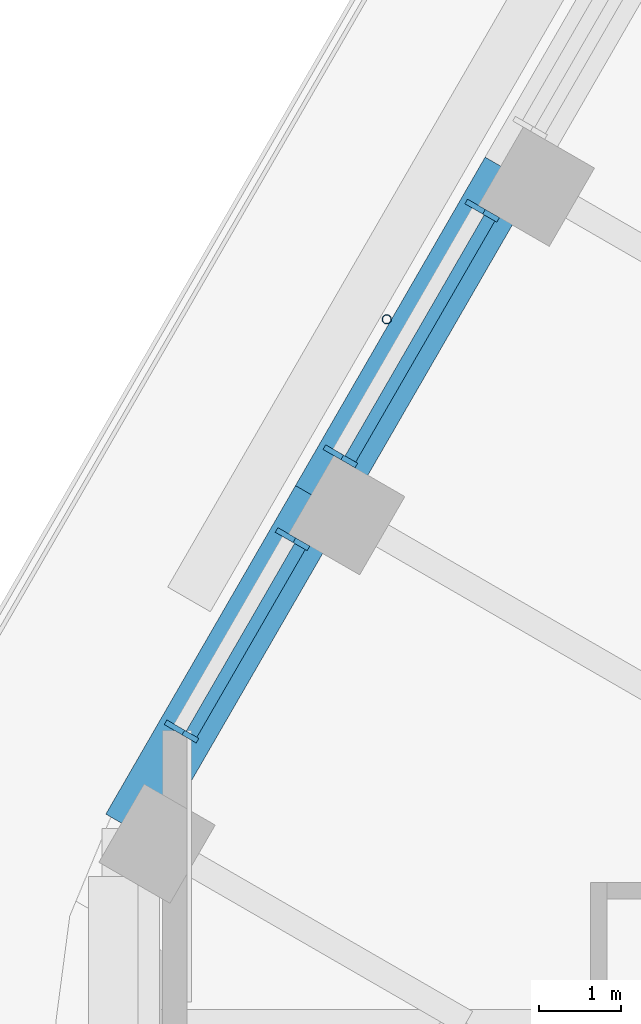
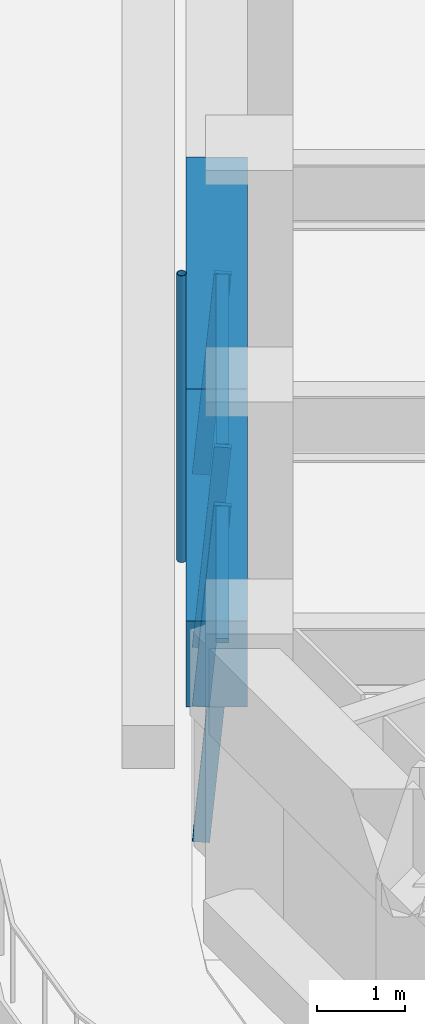
# One storey, part 6 of 20: 7 members, 2 beams, 2 elements without a shape of their own.
"""IFC4 building model written with IfcOpenShell, lengths in metres."""

from ifc_helpers import new_model, si_unit, direction, frame, origin, origin_2d, place, context, subcontext, project, spatial, rectangle, hollow_circle, extrude, material, material_profile, profile_set, type_object, element, aggregate, save


model = new_model("IFC4")

# Units and contexts
model_context = context("Model", 3, precision=1e-05, world=origin(), true_north=direction((0.0, 1.0)))
body_context = subcontext(model_context, "Body", "Model", "MODEL_VIEW")
ifc_project = project(units=[si_unit("LENGTHUNIT", "METRE"), si_unit("AREAUNIT", "SQUARE_METRE"), si_unit("VOLUMEUNIT", "CUBIC_METRE"), si_unit("PLANEANGLEUNIT", "RADIAN"), si_unit("MASSUNIT", "GRAM", prefix="KILO")], contexts=[model_context])

# Site, building, storey
site_placement = place(None, origin())
site = spatial("IfcSite", under=ifc_project, at=site_placement, CompositionType="ELEMENT")
building_placement = place(site_placement, origin())
building = spatial("IfcBuilding", under=site, at=building_placement, Name="Tarfa Lantern Tower", CompositionType="ELEMENT")
storey_placement = place(building_placement, frame((0.0, 0.0, 291.10009765625)))
storey = spatial("IfcBuildingStorey", under=building, at=storey_placement, Name="L66", CompositionType="ELEMENT", Elevation=291.10009765625)

# Curtain wall, members
ifc_material_1 = material(Name="Aluminium framed curtain wall", Category="aluminium")
curtain_wall_type = type_object("IfcCurtainWallType", Name="CW3 CANTED GLAZING HIGH ZONE 2800", PredefinedType="USERDEFINED", material=ifc_material_1)
curtain_wall_1_placement = place(storey_placement, origin())
curtain_wall_1 = element("IfcCurtainWall", 1, at=curtain_wall_1_placement, inside=storey, type_object=curtain_wall_type, Name="CW3 NW L66", ObjectType="CURTAIN WALL", PredefinedType="USERDEFINED")
ifc_material_2 = material(Name="Aluminium mullion", Category="aluminium")
ifc_material_profile_1 = material_profile(ifc_material_2, rectangle(XDim=0.06494140625, YDim=0.199951171875, at=origin_2d()), Name="AL MULLION 65x200")
ifc_profile_set_1 = profile_set([ifc_material_profile_1], Name="Aluminium mullion")
member_type_1 = type_object("IfcMemberType", Name="CWM1 MULLION 65x200", PredefinedType="MULLION", material=ifc_profile_set_1)
member_1_placement = place(storey_placement, frame((-27.62890625, 9.945556640625, 0.0), z_axis=(0.077039050765, -0.044468989844, 0.996035889715), x_axis=(0.499919672301, 0.866071776036, 0.0)))
member_1 = element("IfcMember", 2, at=member_1_placement, type_object=member_type_1, Name="CW3 mullion 1", PredefinedType="MULLION", context=body_context, shape_type="SweptSolid", body=[
    extrude(rectangle(XDim=0.06494140625, YDim=0.199951171875, at=origin_2d()), origin(), (0.0, 0.0, 1.0), 2.81103515625),
])
member_2_placement = place(storey_placement, frame((-29.355712890625, 6.954345703125, 0.0), z_axis=(0.077039050765, -0.044468989844, 0.996035889715), x_axis=(0.499919672301, 0.866071776036, 0.0)))
member_2 = element("IfcMember", 3, at=member_2_placement, type_object=member_type_1, Name="CW3 mullion 2", PredefinedType="MULLION", context=body_context, shape_type="SweptSolid", body=[
    extrude(rectangle(XDim=0.06494140625, YDim=0.199951171875, at=origin_2d()), origin(), (0.0, 0.0, 1.0), 2.81103515625),
])

curtain_wall_2_placement = place(storey_placement, origin())
curtain_wall_2 = element("IfcCurtainWall", 4, at=curtain_wall_2_placement, inside=storey, type_object=curtain_wall_type, Name="CW3 NW L66", ObjectType="CURTAIN WALL", PredefinedType="USERDEFINED")
member_3_placement = place(storey_placement, frame((-29.938232421875, 5.945556640625, 0.0), z_axis=(0.077039050765, -0.044468989844, 0.996035889715), x_axis=(0.499919672301, 0.866071776036, 0.0)))
member_3 = element("IfcMember", 5, at=member_3_placement, type_object=member_type_1, Name="CW3 mullion 1", PredefinedType="MULLION", context=body_context, shape_type="SweptSolid", body=[
    extrude(rectangle(XDim=0.06494140625, YDim=0.199951171875, at=origin_2d()), origin(), (0.0, 0.0, 1.0), 2.81103515625),
])
member_4_placement = place(storey_placement, frame((-31.2900390625, 3.60400390625, 0.0), z_axis=(0.077039050765, -0.044468989844, 0.996035889715), x_axis=(0.499919672301, 0.866071776036, 0.0)))
member_4 = element("IfcMember", 6, at=member_4_placement, type_object=member_type_1, Name="CW3 mullion 2", PredefinedType="MULLION", context=body_context, shape_type="SweptSolid", body=[
    extrude(rectangle(XDim=0.06494140625, YDim=0.199951171875, at=origin_2d()), origin(), (0.0, 0.0, 1.0), 2.81103515625),
])

# Member
ifc_material_3 = material(Name="Aluminium transom", Category="aluminium")
ifc_material_profile_2 = material_profile(ifc_material_3, rectangle(XDim=0.14990234375, YDim=0.06494140625, at=origin_2d()), Name="AL TRANSOM 150x65")
ifc_profile_set_2 = profile_set([ifc_material_profile_2], Name="Aluminium transom")
member_type_2 = type_object("IfcMemberType", Name="CWT1 TRANSOM 150x65", PredefinedType="USERDEFINED", material=ifc_profile_set_2)
member_5_placement = place(storey_placement, frame((-27.43115234375, 9.7939453125, 2.767333984375), z_axis=(-0.499982299553, -0.866035622901, 0.0), x_axis=(0.866035622901, -0.499982299553, 0.0)))
member_5 = element("IfcMember", 7, at=member_5_placement, type_object=member_type_2, Name="CW3 transom 1.2", ObjectType="TRANSOM", PredefinedType="USERDEFINED", context=body_context, shape_type="SweptSolid", body=[
    extrude(rectangle(XDim=0.14990234375, YDim=0.06494140625, at=origin_2d()), origin(), (0.0, 0.0, 1.0), 3.388671875),
])

aggregate(curtain_wall_1, [member_1, member_2, member_5])

member_6_placement = place(storey_placement, frame((-29.740478515625, 5.7939453125, 2.767333984375), z_axis=(-0.499960041298, -0.866048472723, 0.0), x_axis=(0.866048472723, -0.499960041298, 0.0)))
member_6 = element("IfcMember", 8, at=member_6_placement, type_object=member_type_2, Name="CW3 transom 1.2", ObjectType="TRANSOM", PredefinedType="USERDEFINED", context=body_context, shape_type="SweptSolid", body=[
    extrude(rectangle(XDim=0.14990234375, YDim=0.06494140625, at=origin_2d()), origin(), (0.0, 0.0, 1.0), 2.638916015625),
])

aggregate(curtain_wall_2, [member_3, member_4, member_6])

# Beams
ifc_material_4 = material(Name="Concrete C80/95", Category="concrete")
ifc_material_profile_3 = material_profile(ifc_material_4, rectangle(XDim=0.699951171875, YDim=1.199951171875, at=origin_2d()), Name="RC 700x1200")
ifc_profile_set_3 = profile_set([ifc_material_profile_3], Name="Concrete C80/95")
beam_type = type_object("IfcBeamType", Name="EB3 RC 700x1200", PredefinedType="SPANDREL", material=ifc_profile_set_3)
beam_1_placement = place(storey_placement, frame((-27.181640625, 10.360107421875, 3.39990234375), z_axis=(-0.499987836815, -0.866032426089, 0.0), x_axis=(0.866032426089, -0.499987836815, 0.0)))
element("IfcBeam", 9, at=beam_1_placement, inside=storey, type_object=beam_type, Name="Edge beam NW4", PredefinedType="SPANDREL", context=body_context, shape_type="SweptSolid", body=[
    extrude(rectangle(XDim=0.699951171875, YDim=1.199951171875, at=origin_2d()), origin(), (0.0, 0.0, 1.0), 4.61865234375),
])
beam_2_placement = place(storey_placement, frame((-29.490966796875, 6.360107421875, 3.39990234375), z_axis=(-0.500027479704, -0.866009537788, 0.0), x_axis=(0.866009537788, -0.500027479704, 0.0)))
element("IfcBeam", 10, at=beam_2_placement, inside=storey, type_object=beam_type, Name="Edge beam NW5", PredefinedType="SPANDREL", context=body_context, shape_type="SweptSolid", body=[
    extrude(rectangle(XDim=0.699951171875, YDim=1.199951171875, at=origin_2d()), origin(), (0.0, 0.0, 1.0), 4.618896484375),
])

# Member
ifc_material_5 = material(Name="Steel S355", Category="steel")
ifc_material_profile_4 = material_profile(ifc_material_5, hollow_circle(Radius=0.05712890625, WallThickness=0.00634765625, at=origin_2d()), Name="CHS114.3x6.3")
ifc_profile_set_4 = profile_set([ifc_material_profile_4], Name="Steel S355")
member_type_3 = type_object("IfcMemberType", Name="TR1 GREEN WALL TRELLIS CHS114.3x6.3", PredefinedType="USERDEFINED", material=ifc_profile_set_4)
member_7_placement = place(storey_placement, frame((-28.682861328125, 8.56005859375, 0.0), z_axis=(0.0, 0.0, 1.0), x_axis=(1.0, 0.0, 0.0)))
element("IfcMember", 11, at=member_7_placement, inside=storey, type_object=member_type_3, Name="Trellis post NW 2", ObjectType="TRELLIS", PredefinedType="USERDEFINED", context=body_context, shape_type="SweptSolid", body=[
    extrude(hollow_circle(Radius=0.05712890625, WallThickness=0.00634765625, at=origin_2d()), origin(), (0.0, 0.0, 1.0), 4.0),
])

save(model, "model.ifc")
